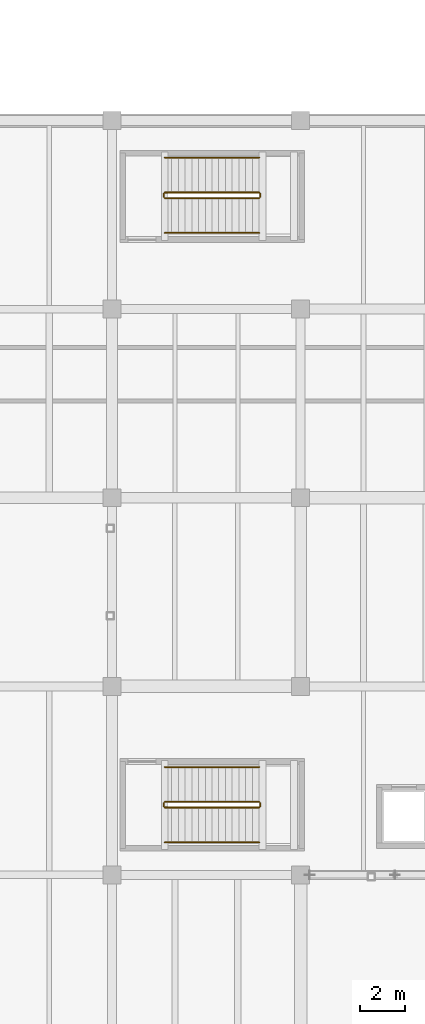
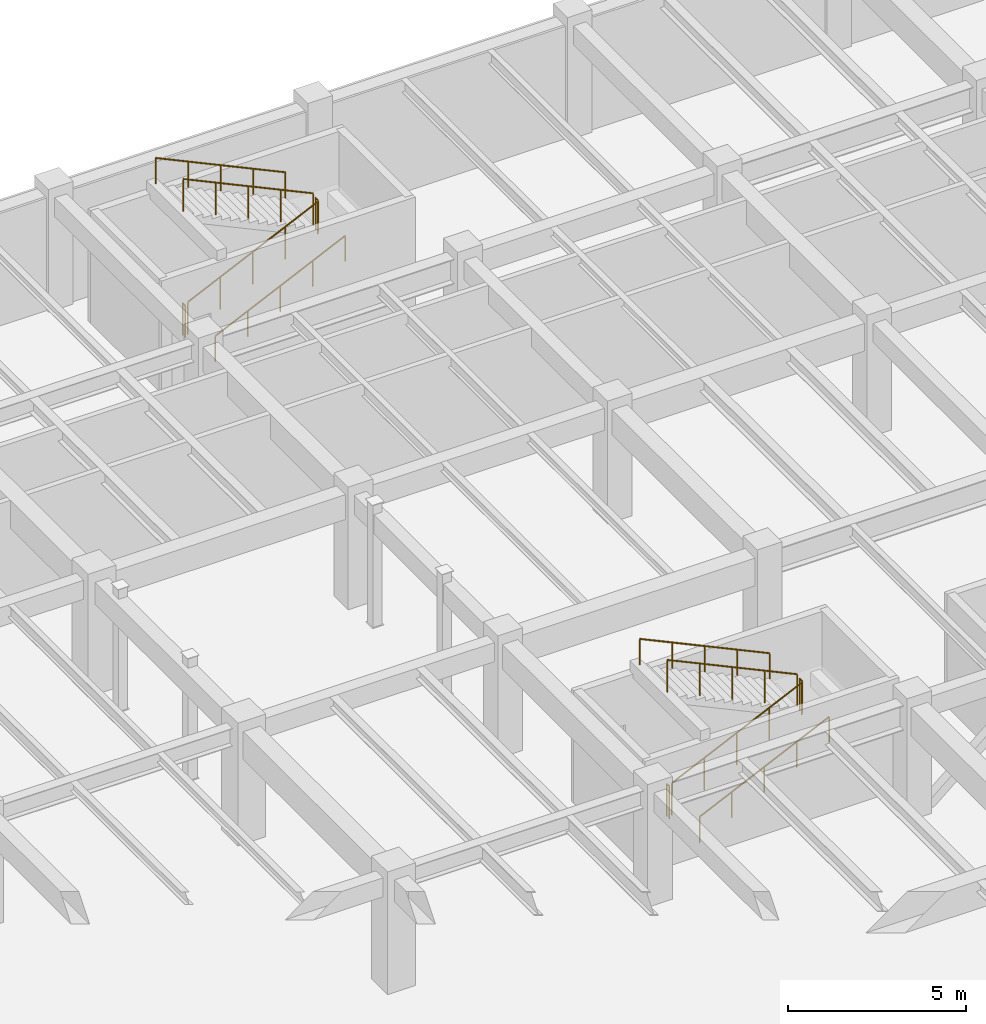
# One storey, part 58 of 63: 12 railings.
"""IFC4 building model written with IfcOpenShell, lengths in metres."""

from ifc_helpers import new_model, si_unit, direction, frame, origin, origin_2d, place, context, subcontext, project, spatial, circle, extrude, material, type_object, element, save


model = new_model("IFC4")

# Units and contexts
model_context = context("Model", 3, precision=1e-05, world=origin(), true_north=direction((0.0, 1.0)))
body_context = subcontext(model_context, "Body", "Model", "MODEL_VIEW")
ifc_project = project(units=[si_unit("LENGTHUNIT", "METRE"), si_unit("AREAUNIT", "SQUARE_METRE"), si_unit("VOLUMEUNIT", "CUBIC_METRE"), si_unit("PLANEANGLEUNIT", "RADIAN"), si_unit("MASSUNIT", "GRAM", prefix="KILO")], contexts=[model_context])

# Site, building, storey
site_placement = place(None, origin())
site = spatial("IfcSite", under=ifc_project, at=site_placement, CompositionType="ELEMENT")
building_placement = place(site_placement, origin())
building = spatial("IfcBuilding", under=site, at=building_placement, Name="Cumbredor Promenade Congress Hotel", CompositionType="ELEMENT")
storey_placement = place(building_placement, frame((0.0, 0.0, -4.199951171875)))
storey = spatial("IfcBuildingStorey", under=building, at=storey_placement, Name="B01", CompositionType="ELEMENT", Elevation=-4.199951171875)

# Railings
ifc_material = material(Name="Brushed stainless steel", Category="steel")
railing_type_1 = type_object("IfcRailingType", Name="Interior Void & Stair Guardrail GR-1100", PredefinedType="GUARDRAIL", material=ifc_material)
railing_1_placement = place(storey_placement, frame((94.75, 87.0, 0.139892578125)))
element("IfcRailing", 1, at=railing_1_placement, inside=storey, type_object=railing_type_1, Name="B01 ST-13 stair guard 1", PredefinedType="GUARDRAIL", context=body_context, shape_type="SweptSolid", body=[
    extrude(circle(Radius=0.02392578125, at=origin_2d()), frame((0.0, 0.0, 1.09619140625), z_axis=(0.906184485727, 0.0, 0.422882581609), x_axis=(0.0, 1.0, 0.0)), (0.0, 0.0, 1.0), 4.634765625),
    extrude(circle(Radius=0.02099609375, at=origin_2d()), origin(), (0.0, 0.0, 1.0), 1.072021484375),
    extrude(circle(Radius=0.02099609375, at=origin_2d()), frame((1.050048828125, 0.0, 0.489990234375)), (0.0, 0.0, 1.0), 1.072021484375),
    extrude(circle(Radius=0.02099609375, at=origin_2d()), frame((2.10009765625, 0.0, 0.97998046875)), (0.0, 0.0, 1.0), 1.072021484375),
    extrude(circle(Radius=0.02099609375, at=origin_2d()), frame((3.14990234375, 0.0, 1.469970703125)), (0.0, 0.0, 1.0), 1.072021484375),
    extrude(circle(Radius=0.02099609375, at=origin_2d()), frame((4.199951171875, 0.0, 1.9599609375)), (0.0, 0.0, 1.0), 1.072021484375),
])
railing_2_placement = place(storey_placement, frame((99.0, 87.050048828125, 2.099853515625)))
element("IfcRailing", 2, at=railing_2_placement, inside=storey, type_object=railing_type_1, Name="B01 ST-13 stair guard 2", PredefinedType="GUARDRAIL", context=body_context, shape_type="SweptSolid", body=[
    extrude(circle(Radius=0.02392578125, at=origin_2d()), frame((0.0, 0.0, 1.09619140625), z_axis=(0.0, 1.0, 0.0), x_axis=(-1.0, 0.0, 0.0)), (0.0, 0.0, 1.0), 0.14990234375),
    extrude(circle(Radius=0.02099609375, at=origin_2d()), origin(), (0.0, 0.0, 1.0), 1.072021484375),
    extrude(circle(Radius=0.02099609375, at=origin_2d()), frame((0.0, 0.14990234375, 0.0)), (0.0, 0.0, 1.0), 1.072021484375),
])
railing_3_placement = place(storey_placement, frame((98.949951171875, 87.25, 2.239990234375)))
element("IfcRailing", 3, at=railing_3_placement, inside=storey, type_object=railing_type_1, Name="B01 ST-13 stair guard 3", PredefinedType="GUARDRAIL", context=body_context, shape_type="SweptSolid", body=[
    extrude(circle(Radius=0.02392578125, at=origin_2d()), frame((0.0, 0.0, 1.09619140625), z_axis=(-0.906184485727, 0.0, 0.422882581609), x_axis=(0.0, -1.0, 0.0)), (0.0, 0.0, 1.0), 4.634765625),
    extrude(circle(Radius=0.02099609375, at=origin_2d()), origin(), (0.0, 0.0, 1.0), 1.072021484375),
    extrude(circle(Radius=0.02099609375, at=origin_2d()), frame((-1.050048828125, 0.0, 0.489990234375)), (0.0, 0.0, 1.0), 1.072021484375),
    extrude(circle(Radius=0.02099609375, at=origin_2d()), frame((-2.10009765625, 0.0, 0.97998046875)), (0.0, 0.0, 1.0), 1.072021484375),
    extrude(circle(Radius=0.02099609375, at=origin_2d()), frame((-3.14990234375, 0.0, 1.469970703125)), (0.0, 0.0, 1.0), 1.072021484375),
    extrude(circle(Radius=0.02099609375, at=origin_2d()), frame((-4.199951171875, 0.0, 1.9599609375)), (0.0, 0.0, 1.0), 1.072021484375),
])
railing_4_placement = place(storey_placement, frame((94.699951171875, 87.050048828125, 0.0)))
element("IfcRailing", 4, at=railing_4_placement, inside=storey, type_object=railing_type_1, Name="B01 ST-13 stair guard 4", PredefinedType="GUARDRAIL", context=body_context, shape_type="SweptSolid", body=[
    extrude(circle(Radius=0.02392578125, at=origin_2d()), frame((0.0, 0.0, 1.09619140625), z_axis=(0.0, 1.0, 0.0), x_axis=(-1.0, 0.0, 0.0)), (0.0, 0.0, 1.0), 0.14990234375),
    extrude(circle(Radius=0.02099609375, at=origin_2d()), origin(), (0.0, 0.0, 1.0), 1.072021484375),
    extrude(circle(Radius=0.02099609375, at=origin_2d()), frame((0.0, 0.14990234375, 0.0)), (0.0, 0.0, 1.0), 1.072021484375),
])
railing_5_placement = place(storey_placement, frame((94.75, 114.14990234375, 0.139892578125)))
element("IfcRailing", 5, at=railing_5_placement, inside=storey, type_object=railing_type_1, Name="B01 ST-15 stair guard 1", PredefinedType="GUARDRAIL", context=body_context, shape_type="SweptSolid", body=[
    extrude(circle(Radius=0.02392578125, at=origin_2d()), frame((0.0, 0.0, 1.09619140625), z_axis=(0.906184485727, 0.0, 0.422882581609), x_axis=(0.0, 1.0, 0.0)), (0.0, 0.0, 1.0), 4.634765625),
    extrude(circle(Radius=0.02099609375, at=origin_2d()), origin(), (0.0, 0.0, 1.0), 1.072021484375),
    extrude(circle(Radius=0.02099609375, at=origin_2d()), frame((1.050048828125, 0.0, 0.489990234375)), (0.0, 0.0, 1.0), 1.072021484375),
    extrude(circle(Radius=0.02099609375, at=origin_2d()), frame((2.10009765625, 0.0, 0.97998046875)), (0.0, 0.0, 1.0), 1.072021484375),
    extrude(circle(Radius=0.02099609375, at=origin_2d()), frame((3.14990234375, 0.0, 1.469970703125)), (0.0, 0.0, 1.0), 1.072021484375),
    extrude(circle(Radius=0.02099609375, at=origin_2d()), frame((4.199951171875, 0.0, 1.9599609375)), (0.0, 0.0, 1.0), 1.072021484375),
])
railing_6_placement = place(storey_placement, frame((99.0, 114.199951171875, 2.099853515625)))
element("IfcRailing", 6, at=railing_6_placement, inside=storey, type_object=railing_type_1, Name="B01 ST-15 stair guard 2", PredefinedType="GUARDRAIL", context=body_context, shape_type="SweptSolid", body=[
    extrude(circle(Radius=0.02392578125, at=origin_2d()), frame((0.0, 0.0, 1.09619140625), z_axis=(0.0, 1.0, 0.0), x_axis=(-1.0, 0.0, 0.0)), (0.0, 0.0, 1.0), 0.150146484375),
    extrude(circle(Radius=0.02099609375, at=origin_2d()), origin(), (0.0, 0.0, 1.0), 1.072021484375),
    extrude(circle(Radius=0.02099609375, at=origin_2d()), frame((0.0, 0.150146484375, 0.0)), (0.0, 0.0, 1.0), 1.072021484375),
])
railing_7_placement = place(storey_placement, frame((98.949951171875, 114.39990234375, 2.239990234375)))
element("IfcRailing", 7, at=railing_7_placement, inside=storey, type_object=railing_type_1, Name="B01 ST-15 stair guard 3", PredefinedType="GUARDRAIL", context=body_context, shape_type="SweptSolid", body=[
    extrude(circle(Radius=0.02392578125, at=origin_2d()), frame((0.0, 0.0, 1.09619140625), z_axis=(-0.906184485727, 0.0, 0.422882581609), x_axis=(0.0, -1.0, 0.0)), (0.0, 0.0, 1.0), 4.634765625),
    extrude(circle(Radius=0.02099609375, at=origin_2d()), origin(), (0.0, 0.0, 1.0), 1.072021484375),
    extrude(circle(Radius=0.02099609375, at=origin_2d()), frame((-1.050048828125, 0.0, 0.489990234375)), (0.0, 0.0, 1.0), 1.072021484375),
    extrude(circle(Radius=0.02099609375, at=origin_2d()), frame((-2.10009765625, 0.0, 0.97998046875)), (0.0, 0.0, 1.0), 1.072021484375),
    extrude(circle(Radius=0.02099609375, at=origin_2d()), frame((-3.14990234375, 0.0, 1.469970703125)), (0.0, 0.0, 1.0), 1.072021484375),
    extrude(circle(Radius=0.02099609375, at=origin_2d()), frame((-4.199951171875, 0.0, 1.9599609375)), (0.0, 0.0, 1.0), 1.072021484375),
])
railing_8_placement = place(storey_placement, frame((94.699951171875, 114.199951171875, 0.0)))
element("IfcRailing", 8, at=railing_8_placement, inside=storey, type_object=railing_type_1, Name="B01 ST-15 stair guard 4", PredefinedType="GUARDRAIL", context=body_context, shape_type="SweptSolid", body=[
    extrude(circle(Radius=0.02392578125, at=origin_2d()), frame((0.0, 0.0, 1.09619140625), z_axis=(0.0, 1.0, 0.0), x_axis=(-1.0, 0.0, 0.0)), (0.0, 0.0, 1.0), 0.150146484375),
    extrude(circle(Radius=0.02099609375, at=origin_2d()), origin(), (0.0, 0.0, 1.0), 1.072021484375),
    extrude(circle(Radius=0.02099609375, at=origin_2d()), frame((0.0, 0.150146484375, 0.0)), (0.0, 0.0, 1.0), 1.072021484375),
])
railing_type_2 = type_object("IfcRailingType", Name="Stair Pitch Handrail HR-900", PredefinedType="HANDRAIL", material=ifc_material)
railing_9_placement = place(storey_placement, frame((94.75, 85.449951171875, 0.139892578125)))
element("IfcRailing", 9, at=railing_9_placement, inside=storey, type_object=railing_type_2, Name="B01 ST-13 stair handrail 1", PredefinedType="HANDRAIL", context=body_context, shape_type="SweptSolid", body=[
    extrude(circle(Radius=0.02392578125, at=origin_2d()), frame((0.0, 0.0, 0.8759765625), z_axis=(0.906184485727, 0.0, 0.422882581609), x_axis=(0.0, 1.0, 0.0)), (0.0, 0.0, 1.0), 4.634765625),
    extrude(circle(Radius=0.02099609375, at=origin_2d()), origin(), (0.0, 0.0, 1.0), 0.851806640625),
    extrude(circle(Radius=0.02099609375, at=origin_2d()), frame((1.050048828125, 0.0, 0.489990234375)), (0.0, 0.0, 1.0), 0.851806640625),
    extrude(circle(Radius=0.02099609375, at=origin_2d()), frame((2.10009765625, 0.0, 0.97998046875)), (0.0, 0.0, 1.0), 0.851806640625),
    extrude(circle(Radius=0.02099609375, at=origin_2d()), frame((3.14990234375, 0.0, 1.469970703125)), (0.0, 0.0, 1.0), 0.851806640625),
    extrude(circle(Radius=0.02099609375, at=origin_2d()), frame((4.199951171875, 0.0, 1.9599609375)), (0.0, 0.0, 1.0), 0.851806640625),
])
railing_10_placement = place(storey_placement, frame((98.949951171875, 88.800048828125, 2.239990234375)))
element("IfcRailing", 10, at=railing_10_placement, inside=storey, type_object=railing_type_2, Name="B01 ST-13 stair handrail 2", PredefinedType="HANDRAIL", context=body_context, shape_type="SweptSolid", body=[
    extrude(circle(Radius=0.02392578125, at=origin_2d()), frame((0.0, 0.0, 0.8759765625), z_axis=(-0.906184485727, 0.0, 0.422882581609), x_axis=(0.0, -1.0, 0.0)), (0.0, 0.0, 1.0), 4.634765625),
    extrude(circle(Radius=0.02099609375, at=origin_2d()), origin(), (0.0, 0.0, 1.0), 0.851806640625),
    extrude(circle(Radius=0.02099609375, at=origin_2d()), frame((-1.050048828125, 0.0, 0.489990234375)), (0.0, 0.0, 1.0), 0.851806640625),
    extrude(circle(Radius=0.02099609375, at=origin_2d()), frame((-2.10009765625, 0.0, 0.97998046875)), (0.0, 0.0, 1.0), 0.851806640625),
    extrude(circle(Radius=0.02099609375, at=origin_2d()), frame((-3.14990234375, 0.0, 1.469970703125)), (0.0, 0.0, 1.0), 0.851806640625),
    extrude(circle(Radius=0.02099609375, at=origin_2d()), frame((-4.199951171875, 0.0, 1.9599609375)), (0.0, 0.0, 1.0), 0.851806640625),
])
railing_11_placement = place(storey_placement, frame((94.75, 112.60009765625, 0.139892578125)))
element("IfcRailing", 11, at=railing_11_placement, inside=storey, type_object=railing_type_2, Name="B01 ST-15 stair handrail 1", PredefinedType="HANDRAIL", context=body_context, shape_type="SweptSolid", body=[
    extrude(circle(Radius=0.02392578125, at=origin_2d()), frame((0.0, 0.0, 0.8759765625), z_axis=(0.906184485727, 0.0, 0.422882581609), x_axis=(0.0, 1.0, 0.0)), (0.0, 0.0, 1.0), 4.634765625),
    extrude(circle(Radius=0.02099609375, at=origin_2d()), origin(), (0.0, 0.0, 1.0), 0.851806640625),
    extrude(circle(Radius=0.02099609375, at=origin_2d()), frame((1.050048828125, 0.0, 0.489990234375)), (0.0, 0.0, 1.0), 0.851806640625),
    extrude(circle(Radius=0.02099609375, at=origin_2d()), frame((2.10009765625, 0.0, 0.97998046875)), (0.0, 0.0, 1.0), 0.851806640625),
    extrude(circle(Radius=0.02099609375, at=origin_2d()), frame((3.14990234375, 0.0, 1.469970703125)), (0.0, 0.0, 1.0), 0.851806640625),
    extrude(circle(Radius=0.02099609375, at=origin_2d()), frame((4.199951171875, 0.0, 1.9599609375)), (0.0, 0.0, 1.0), 0.851806640625),
])
railing_12_placement = place(storey_placement, frame((98.949951171875, 115.949951171875, 2.239990234375)))
element("IfcRailing", 12, at=railing_12_placement, inside=storey, type_object=railing_type_2, Name="B01 ST-15 stair handrail 2", PredefinedType="HANDRAIL", context=body_context, shape_type="SweptSolid", body=[
    extrude(circle(Radius=0.02392578125, at=origin_2d()), frame((0.0, 0.0, 0.8759765625), z_axis=(-0.906184485727, 0.0, 0.422882581609), x_axis=(0.0, -1.0, 0.0)), (0.0, 0.0, 1.0), 4.634765625),
    extrude(circle(Radius=0.02099609375, at=origin_2d()), origin(), (0.0, 0.0, 1.0), 0.851806640625),
    extrude(circle(Radius=0.02099609375, at=origin_2d()), frame((-1.050048828125, 0.0, 0.489990234375)), (0.0, 0.0, 1.0), 0.851806640625),
    extrude(circle(Radius=0.02099609375, at=origin_2d()), frame((-2.10009765625, 0.0, 0.97998046875)), (0.0, 0.0, 1.0), 0.851806640625),
    extrude(circle(Radius=0.02099609375, at=origin_2d()), frame((-3.14990234375, 0.0, 1.469970703125)), (0.0, 0.0, 1.0), 0.851806640625),
    extrude(circle(Radius=0.02099609375, at=origin_2d()), frame((-4.199951171875, 0.0, 1.9599609375)), (0.0, 0.0, 1.0), 0.851806640625),
])

save(model, "model.ifc")
